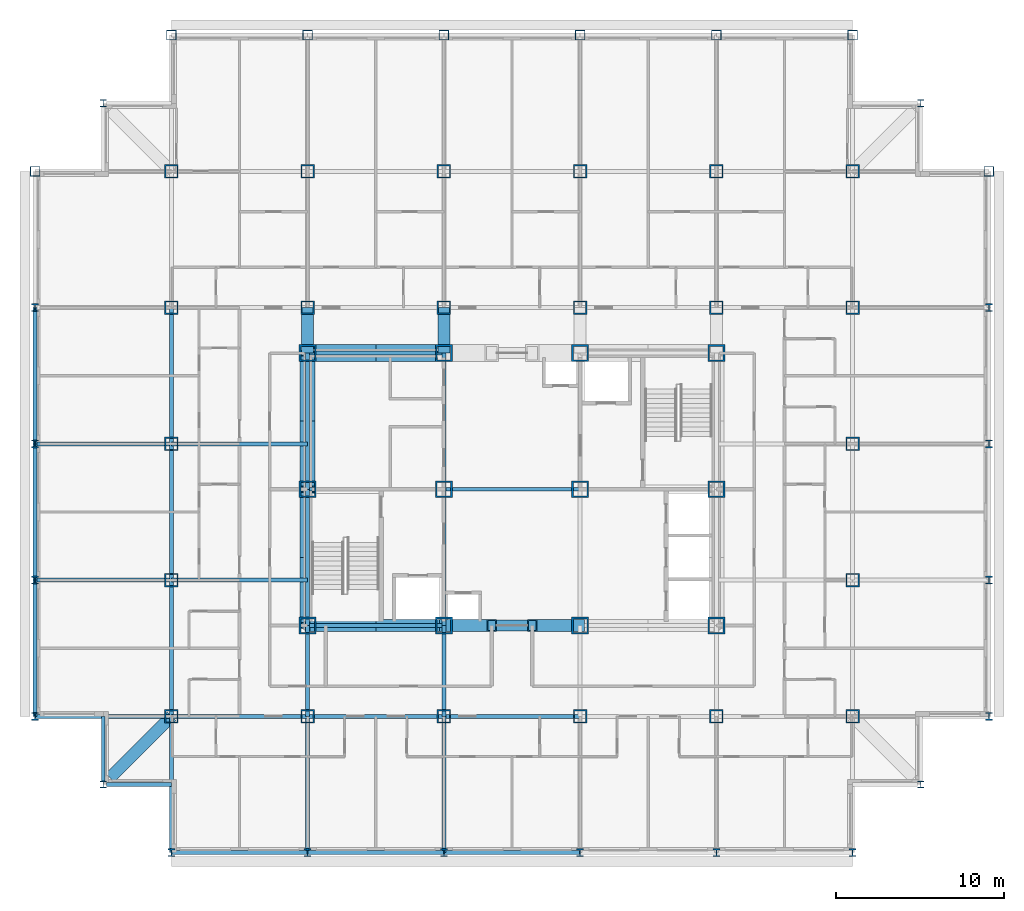
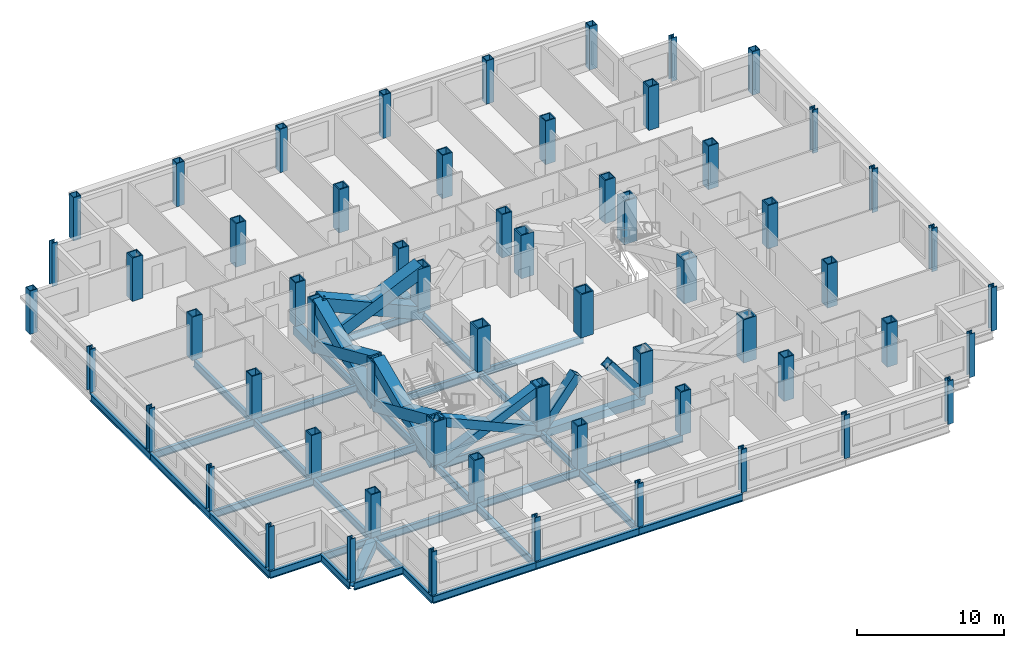
# One storey, part 1 of 12: 60 columns, 36 beams, 10 members.
"""IFC4 building model written with IfcOpenShell, lengths in metres."""

from ifc_helpers import new_model, si_unit, direction, frame, origin, origin_2d, place, context, subcontext, project, spatial, hollow_rectangle, i_section, extrude, material, material_profile, profile_set, type_object, element, save


model = new_model("IFC4")

# Units and contexts
model_context = context("Model", 3, precision=1e-05, world=origin(), true_north=direction((0.0, 1.0)))
body_context = subcontext(model_context, "Body", "Model", "MODEL_VIEW")
ifc_project = project(units=[si_unit("LENGTHUNIT", "METRE"), si_unit("AREAUNIT", "SQUARE_METRE"), si_unit("VOLUMEUNIT", "CUBIC_METRE"), si_unit("PLANEANGLEUNIT", "RADIAN"), si_unit("MASSUNIT", "GRAM", prefix="KILO")], contexts=[model_context])

# Site, building, storey
site_placement = place(None, origin())
site = spatial("IfcSite", under=ifc_project, at=site_placement, CompositionType="ELEMENT")
building_placement = place(site_placement, origin())
building = spatial("IfcBuilding", under=site, at=building_placement, Name="Kopane Lantern Tower", CompositionType="ELEMENT")
storey_placement = place(building_placement, frame((0.0, 0.0, 177.60009765625)))
storey = spatial("IfcBuildingStorey", under=building, at=storey_placement, Name="L45", CompositionType="ELEMENT", Elevation=177.60009765625)

# Columns
ifc_material_1 = material(Name="Steel S355JR", Category="steel")
ifc_material_profile_1 = material_profile(ifc_material_1, hollow_rectangle(XDim=1.0, YDim=1.0, WallThickness=0.10009765625, at=origin_2d()), Name="BOX 1000x1000x100")
ifc_profile_set_1 = profile_set([ifc_material_profile_1], Name="Steel S355JR")
column_type_1 = type_object("IfcColumnType", Name="COLUMN BOX 1000x1000x100", PredefinedType="COLUMN", material=ifc_profile_set_1)
for number, where, z_axis, x_axis, name in (
    (1, (16.199951171875, 24.300048828125, 0.0), (0.0, 0.0, 1.0), (1.0, 0.0, 0.0), "Column 4/E L45"),
    (2, (16.199951171875, 32.39990234375, 0.0), (0.0, 0.0, 1.0), (1.0, 0.0, 0.0), "Column 4/F L45"),
    (3, (16.199951171875, 40.5, 0.0), (0.0, 0.0, 1.0), (1.0, 0.0, 0.0), "Column 4/G L45"),
    (4, (24.300048828125, 24.300048828125, 0.0), (0.0, 0.0, 1.0), (1.0, 0.0, 0.0), "Column 5/E L45"),
    (5, (24.300048828125, 32.39990234375, 0.0), (0.0, 0.0, 1.0), (1.0, 0.0, 0.0), "Column 5/F L45"),
    (6, (24.300048828125, 40.5, 0.0), (0.0, 0.0, 1.0), (1.0, 0.0, 0.0), "Column 5/G L45"),
    (7, (32.39990234375, 24.300048828125, 0.0), (0.0, 0.0, 1.0), (1.0, 0.0, 0.0), "Column 6/E L45"),
    (8, (32.39990234375, 32.39990234375, 0.0), (0.0, 0.0, 1.0), (1.0, 0.0, 0.0), "Column 6/F L45"),
    (9, (32.39990234375, 40.5, 0.0), (0.0, 0.0, 1.0), (1.0, 0.0, 0.0), "Column 6/G L45"),
    (10, (40.5, 24.300048828125, 0.0), (0.0, 0.0, 1.0), (1.0, 0.0, 0.0), "Column 7/E L45"),
    (11, (40.5, 32.39990234375, 0.0), (0.0, 0.0, 1.0), (1.0, 0.0, 0.0), "Column 7/F L45"),
    (12, (40.5, 40.5, 0.0), (0.0, 0.0, 1.0), (1.0, 0.0, 0.0), "Column 7/G L45"),
):
    element("IfcColumn", number, at=place(storey_placement, frame(where, z_axis=z_axis, x_axis=x_axis)), inside=storey, type_object=column_type_1, Name=name, PredefinedType="COLUMN", context=body_context, shape_type="SweptSolid", body=[
        extrude(hollow_rectangle(XDim=1.0, YDim=1.0, WallThickness=0.10009765625, at=origin_2d()), origin(), (0.0, 0.0, 1.0), 3.599853515625),
    ])
ifc_material_2 = material(Name="Steel S355JR", Category="steel")
ifc_material_profile_2 = material_profile(ifc_material_2, hollow_rectangle(XDim=0.60009765625, YDim=0.60009765625, WallThickness=0.050048828125, at=origin_2d()), Name="BOX 600x600x50")
ifc_profile_set_2 = profile_set([ifc_material_profile_2], Name="Steel S355JR")
column_type_2 = type_object("IfcColumnType", Name="COLUMN BOX 600x600x50", PredefinedType="COLUMN", material=ifc_profile_set_2)
for number, where, z_axis, x_axis, name in (
    (13, (0.0, 51.300048828125, 0.0), (0.0, 0.0, 1.0), (1.0, 0.0, 0.0), "Column 2/Q6 L45"),
    (14, (8.10009765625, 59.39990234375, 0.0), (0.0, 0.0, 1.0), (1.0, 0.0, 0.0), "Column 3/Q7 L45"),
    (15, (16.199951171875, 59.39990234375, 0.0), (0.0, 0.0, 1.0), (1.0, 0.0, 0.0), "Column 4/Q7 L45"),
    (16, (24.300048828125, 59.39990234375, 0.0), (0.0, 0.0, 1.0), (1.0, 0.0, 0.0), "Column 5/Q7 L45"),
    (17, (32.39990234375, 59.39990234375, 0.0), (0.0, 0.0, 1.0), (1.0, 0.0, 0.0), "Column 6/Q7 L45"),
    (18, (40.5, 59.39990234375, 0.0), (0.0, 0.0, 1.0), (1.0, 0.0, 0.0), "Column 7/Q7 L45"),
    (19, (48.60009765625, 59.39990234375, 0.0), (0.0, 0.0, 1.0), (1.0, 0.0, 0.0), "Column 8/Q7 L45"),
    (20, (56.699951171875, 51.300048828125, 0.0), (0.0, 0.0, 1.0), (1.0, 0.0, 0.0), "Column 9/Q6 L45"),
):
    element("IfcColumn", number, at=place(storey_placement, frame(where, z_axis=z_axis, x_axis=x_axis)), inside=storey, type_object=column_type_2, Name=name, PredefinedType="COLUMN", context=body_context, shape_type="SweptSolid", body=[
        extrude(hollow_rectangle(XDim=0.60009765625, YDim=0.60009765625, WallThickness=0.050048828125, at=origin_2d()), origin(), (0.0, 0.0, 1.0), 3.599853515625),
    ])
ifc_material_3 = material(Name="Steel S355JR", Category="steel")
ifc_material_profile_3 = material_profile(ifc_material_3, hollow_rectangle(XDim=0.800048828125, YDim=0.800048828125, WallThickness=0.080078125, at=origin_2d()), Name="BOX 800x800x80")
ifc_profile_set_3 = profile_set([ifc_material_profile_3], Name="Steel S355JR")
column_type_3 = type_object("IfcColumnType", Name="COLUMN BOX 800x800x80", PredefinedType="COLUMN", material=ifc_profile_set_3)
for number, where, z_axis, x_axis, name in (
    (21, (8.10009765625, 18.89990234375, 0.0), (0.0, 0.0, 1.0), (1.0, 0.0, 0.0), "Column 3/Q2 L45"),
    (22, (8.10009765625, 27.0, 0.0), (0.0, 0.0, 1.0), (1.0, 0.0, 0.0), "Column 3/Q3 L45"),
    (23, (8.10009765625, 35.10009765625, 0.0), (0.0, 0.0, 1.0), (1.0, 0.0, 0.0), "Column 3/Q4 L45"),
    (24, (8.10009765625, 43.199951171875, 0.0), (0.0, 0.0, 1.0), (1.0, 0.0, 0.0), "Column 3/Q5 L45"),
    (25, (8.10009765625, 51.300048828125, 0.0), (0.0, 0.0, 1.0), (1.0, 0.0, 0.0), "Column 3/Q6 L45"),
    (26, (16.199951171875, 18.89990234375, 0.0), (0.0, 0.0, 1.0), (1.0, 0.0, 0.0), "Column 4/Q2 L45"),
    (27, (16.199951171875, 43.199951171875, 0.0), (0.0, 0.0, 1.0), (1.0, 0.0, 0.0), "Column 4/Q5 L45"),
    (28, (16.199951171875, 51.300048828125, 0.0), (0.0, 0.0, 1.0), (1.0, 0.0, 0.0), "Column 4/Q6 L45"),
    (29, (24.300048828125, 18.89990234375, 0.0), (0.0, 0.0, 1.0), (1.0, 0.0, 0.0), "Column 5/Q2 L45"),
    (30, (24.300048828125, 43.199951171875, 0.0), (0.0, 0.0, 1.0), (1.0, 0.0, 0.0), "Column 5/Q5 L45"),
    (31, (24.300048828125, 51.300048828125, 0.0), (0.0, 0.0, 1.0), (1.0, 0.0, 0.0), "Column 5/Q6 L45"),
    (32, (32.39990234375, 18.89990234375, 0.0), (0.0, 0.0, 1.0), (1.0, 0.0, 0.0), "Column 6/Q2 L45"),
    (33, (32.39990234375, 43.199951171875, 0.0), (0.0, 0.0, 1.0), (1.0, 0.0, 0.0), "Column 6/Q5 L45"),
    (34, (32.39990234375, 51.300048828125, 0.0), (0.0, 0.0, 1.0), (1.0, 0.0, 0.0), "Column 6/Q6 L45"),
    (35, (40.5, 18.89990234375, 0.0), (0.0, 0.0, 1.0), (1.0, 0.0, 0.0), "Column 7/Q2 L45"),
    (36, (40.5, 43.199951171875, 0.0), (0.0, 0.0, 1.0), (1.0, 0.0, 0.0), "Column 7/Q5 L45"),
    (37, (40.5, 51.300048828125, 0.0), (0.0, 0.0, 1.0), (1.0, 0.0, 0.0), "Column 7/Q6 L45"),
    (38, (48.60009765625, 18.89990234375, 0.0), (0.0, 0.0, 1.0), (1.0, 0.0, 0.0), "Column 8/Q2 L45"),
    (39, (48.60009765625, 27.0, 0.0), (0.0, 0.0, 1.0), (1.0, 0.0, 0.0), "Column 8/Q3 L45"),
    (40, (48.60009765625, 35.10009765625, 0.0), (0.0, 0.0, 1.0), (1.0, 0.0, 0.0), "Column 8/Q4 L45"),
    (41, (48.60009765625, 43.199951171875, 0.0), (0.0, 0.0, 1.0), (1.0, 0.0, 0.0), "Column 8/Q5 L45"),
    (42, (48.60009765625, 51.300048828125, 0.0), (0.0, 0.0, 1.0), (1.0, 0.0, 0.0), "Column 8/Q6 L45"),
):
    element("IfcColumn", number, at=place(storey_placement, frame(where, z_axis=z_axis, x_axis=x_axis)), inside=storey, type_object=column_type_3, Name=name, PredefinedType="COLUMN", context=body_context, shape_type="SweptSolid", body=[
        extrude(hollow_rectangle(XDim=0.800048828125, YDim=0.800048828125, WallThickness=0.080078125, at=origin_2d()), origin(), (0.0, 0.0, 1.0), 3.599853515625),
    ])
ifc_material_4 = material(Name="Steel S355JR", Category="steel")
ifc_material_profile_4 = material_profile(ifc_material_4, i_section(OverallWidth=0.406982421875, OverallDepth=0.4189453125, WebThickness=0.030517578125, FlangeThickness=0.04931640625, FilletRadius=0.01513671875, at=origin_2d()), Name="UC 356x406x393")
ifc_profile_set_4 = profile_set([ifc_material_profile_4], Name="Steel S355JR")
column_type_4 = type_object("IfcColumnType", Name="COLUMN UC 356x406x393", PredefinedType="COLUMN", material=ifc_profile_set_4)
for number, where, z_axis, x_axis, name in (
    (43, (4.050048828125, 14.85009765625, 0.0), (0.0, 0.0, 1.0), (1.0, 0.0, 0.0), "Column 4.05/14.85 L45"),
    (44, (4.050048828125, 55.35009765625, 0.0), (0.0, 0.0, 1.0), (1.0, 0.0, 0.0), "Column 4.05/55.35 L45"),
    (45, (52.64990234375, 14.85009765625, 0.0), (0.0, 0.0, 1.0), (1.0, 0.0, 0.0), "Column 52.65/14.85 L45"),
    (46, (52.64990234375, 55.35009765625, 0.0), (0.0, 0.0, 1.0), (1.0, 0.0, 0.0), "Column 52.65/55.35 L45"),
):
    element("IfcColumn", number, at=place(storey_placement, frame(where, z_axis=z_axis, x_axis=x_axis)), inside=storey, type_object=column_type_4, Name=name, PredefinedType="COLUMN", context=body_context, shape_type="SweptSolid", body=[
        extrude(i_section(OverallWidth=0.406982421875, OverallDepth=0.4189453125, WebThickness=0.030517578125, FlangeThickness=0.04931640625, FilletRadius=0.01513671875, at=origin_2d()), origin(), (0.0, 0.0, 1.0), 3.599853515625),
    ])
ifc_material_5 = material(Name="Steel S355JR", Category="steel")
ifc_material_profile_5 = material_profile(ifc_material_5, i_section(OverallWidth=0.424072265625, OverallDepth=0.474609375, WebThickness=0.047607421875, FlangeThickness=0.076904296875, FilletRadius=0.01513671875, at=origin_2d()), Name="UC 356x406x634")
ifc_profile_set_5 = profile_set([ifc_material_profile_5], Name="Steel S355JR")
column_type_5 = type_object("IfcColumnType", Name="COLUMN UC 356x406x634", PredefinedType="COLUMN", material=ifc_profile_set_5)
for number, where, z_axis, x_axis, name in (
    (47, (0.0, 18.89990234375, 0.0), (0.0, 0.0, 1.0), (1.0, 0.0, 0.0), "Column 2/Q2 L45"),
    (48, (0.0, 27.0, 0.0), (0.0, 0.0, 1.0), (1.0, 0.0, 0.0), "Column 2/Q3 L45"),
    (49, (0.0, 35.10009765625, 0.0), (0.0, 0.0, 1.0), (1.0, 0.0, 0.0), "Column 2/Q4 L45"),
    (50, (0.0, 43.199951171875, 0.0), (0.0, 0.0, 1.0), (1.0, 0.0, 0.0), "Column 2/Q5 L45"),
    (51, (8.10009765625, 10.800048828125, 0.0), (0.0, 0.0, 1.0), (1.0, 0.0, 0.0), "Column 3/Q1 L45"),
    (52, (16.199951171875, 10.800048828125, 0.0), (0.0, 0.0, 1.0), (1.0, 0.0, 0.0), "Column 4/Q1 L45"),
    (53, (24.300048828125, 10.800048828125, 0.0), (0.0, 0.0, 1.0), (1.0, 0.0, 0.0), "Column 5/Q1 L45"),
    (54, (32.39990234375, 10.800048828125, 0.0), (0.0, 0.0, 1.0), (1.0, 0.0, 0.0), "Column 6/Q1 L45"),
    (55, (40.5, 10.800048828125, 0.0), (0.0, 0.0, 1.0), (1.0, 0.0, 0.0), "Column 7/Q1 L45"),
    (56, (48.60009765625, 10.800048828125, 0.0), (0.0, 0.0, 1.0), (1.0, 0.0, 0.0), "Column 8/Q1 L45"),
    (57, (56.699951171875, 18.89990234375, 0.0), (0.0, 0.0, 1.0), (1.0, 0.0, 0.0), "Column 9/Q2 L45"),
    (58, (56.699951171875, 27.0, 0.0), (0.0, 0.0, 1.0), (1.0, 0.0, 0.0), "Column 9/Q3 L45"),
    (59, (56.699951171875, 35.10009765625, 0.0), (0.0, 0.0, 1.0), (1.0, 0.0, 0.0), "Column 9/Q4 L45"),
    (60, (56.699951171875, 43.199951171875, 0.0), (0.0, 0.0, 1.0), (1.0, 0.0, 0.0), "Column 9/Q5 L45"),
):
    element("IfcColumn", number, at=place(storey_placement, frame(where, z_axis=z_axis, x_axis=x_axis)), inside=storey, type_object=column_type_5, Name=name, PredefinedType="COLUMN", context=body_context, shape_type="SweptSolid", body=[
        extrude(i_section(OverallWidth=0.424072265625, OverallDepth=0.474609375, WebThickness=0.047607421875, FlangeThickness=0.076904296875, FilletRadius=0.01513671875, at=origin_2d()), origin(), (0.0, 0.0, 1.0), 3.599853515625),
    ])

# Members
ifc_material_6 = material(Name="Steel S355JR", Category="steel")
ifc_material_profile_6 = material_profile(ifc_material_6, hollow_rectangle(XDim=1.0, YDim=1.0, WallThickness=0.10009765625, at=origin_2d()), Name="BOX 1000x1000x100")
ifc_profile_set_6 = profile_set([ifc_material_profile_6], Name="Steel S355JR")
member_type_1 = type_object("IfcMemberType", Name="BRACE BOX 1000x1000x100", PredefinedType="BRACE", material=ifc_profile_set_6)
for number, where, z_axis, x_axis, name in (
    (61, (16.199951171875, 40.5, -0.210205078125), (0.913809277049, 0.0, 0.40614357705), (0.0, 1.0, 0.0), "Core brace L45"),
    (62, (24.300048828125, 40.5, -0.210205078125), (-0.913809277049, 0.0, 0.40614357705), (0.0, -1.0, 0.0), "Core brace L45"),
):
    element("IfcMember", number, at=place(storey_placement, frame(where, z_axis=z_axis, x_axis=x_axis)), inside=storey, type_object=member_type_1, Name=name, PredefinedType="BRACE", context=body_context, shape_type="SweptSolid", body=[
        extrude(hollow_rectangle(XDim=1.0, YDim=1.0, WallThickness=0.10009765625, at=origin_2d()), origin(), (0.0, 0.0, 1.0), 8.864013671875),
    ])
ifc_material_7 = material(Name="Steel S355JR", Category="steel")
ifc_material_profile_7 = material_profile(ifc_material_7, hollow_rectangle(XDim=0.699951171875, YDim=0.699951171875, WallThickness=0.06005859375, at=origin_2d()), Name="BOX 700x700x60")
ifc_profile_set_7 = profile_set([ifc_material_profile_7], Name="Steel S355JR")
member_type_2 = type_object("IfcMemberType", Name="BRACE BOX 700x700x60", PredefinedType="BRACE", material=ifc_profile_set_7)
for number, where, z_axis, x_axis, name in (
    (63, (16.199951171875, 24.300048828125, -0.210205078125), (0.913809277049, 0.0, 0.40614357705), (0.0, 1.0, 0.0), "Core brace L45"),
    (64, (24.300048828125, 24.300048828125, -0.210205078125), (-0.913809277049, 0.0, 0.40614357705), (0.0, -1.0, 0.0), "Core brace L45"),
):
    element("IfcMember", number, at=place(storey_placement, frame(where, z_axis=z_axis, x_axis=x_axis)), inside=storey, type_object=member_type_2, Name=name, PredefinedType="BRACE", context=body_context, shape_type="SweptSolid", body=[
        extrude(hollow_rectangle(XDim=0.699951171875, YDim=0.699951171875, WallThickness=0.06005859375, at=origin_2d()), origin(), (0.0, 0.0, 1.0), 8.864013671875),
    ])
for number, where, z_axis, x_axis, name in (
    (65, (24.300048828125, 24.300048828125, -0.210205078125), (0.620672981644, 0.0, 0.784069544018), (0.0, 1.0, 0.0), "Core brace L45"),
    (66, (32.39990234375, 24.300048828125, -0.210205078125), (-0.620672981644, 0.0, 0.784069544018), (0.0, -1.0, 0.0), "Core brace L45"),
):
    element("IfcMember", number, at=place(storey_placement, frame(where, z_axis=z_axis, x_axis=x_axis)), inside=storey, type_object=member_type_2, Name=name, PredefinedType="BRACE", context=body_context, shape_type="SweptSolid", body=[
        extrude(hollow_rectangle(XDim=0.699951171875, YDim=0.699951171875, WallThickness=0.06005859375, at=origin_2d()), origin(), (0.0, 0.0, 1.0), 4.591552734375),
    ])
ifc_material_8 = material(Name="Steel S355JR", Category="steel")
ifc_material_profile_8 = material_profile(ifc_material_8, hollow_rectangle(XDim=0.89990234375, YDim=0.89990234375, WallThickness=0.090087890625, at=origin_2d()), Name="BOX 900x900x90")
ifc_profile_set_8 = profile_set([ifc_material_profile_8], Name="Steel S355JR")
member_type_3 = type_object("IfcMemberType", Name="BRACE BOX 900x900x90", PredefinedType="BRACE", material=ifc_profile_set_8)
for number, where, z_axis, x_axis, name in (
    (67, (16.199951171875, 24.300048828125, -0.210205078125), (0.0, 0.91380473365, 0.406153799391), (-1.0, 0.0, 0.0), "Core brace L45"),
    (68, (16.199951171875, 32.39990234375, -0.210205078125), (0.0, -0.91380473365, 0.406153799391), (1.0, 0.0, 0.0), "Core brace L45"),
):
    element("IfcMember", number, at=place(storey_placement, frame(where, z_axis=z_axis, x_axis=x_axis)), inside=storey, type_object=member_type_3, Name=name, PredefinedType="BRACE", context=body_context, shape_type="SweptSolid", body=[
        extrude(hollow_rectangle(XDim=0.89990234375, YDim=0.89990234375, WallThickness=0.090087890625, at=origin_2d()), origin(), (0.0, 0.0, 1.0), 8.86376953125),
    ])
for number, where, z_axis, x_axis, name in (
    (69, (16.199951171875, 32.39990234375, -0.210205078125), (0.0, 0.913809277049, 0.40614357705), (-1.0, 0.0, 0.0), "Core brace L45"),
    (70, (16.199951171875, 40.5, -0.210205078125), (0.0, -0.913809277049, 0.40614357705), (1.0, 0.0, 0.0), "Core brace L45"),
):
    element("IfcMember", number, at=place(storey_placement, frame(where, z_axis=z_axis, x_axis=x_axis)), inside=storey, type_object=member_type_3, Name=name, PredefinedType="BRACE", context=body_context, shape_type="SweptSolid", body=[
        extrude(hollow_rectangle(XDim=0.89990234375, YDim=0.89990234375, WallThickness=0.090087890625, at=origin_2d()), origin(), (0.0, 0.0, 1.0), 8.864013671875),
    ])

# Beams
ifc_material_9 = material(Name="Steel S355JR", Category="steel")
ifc_material_profile_9 = material_profile(ifc_material_9, i_section(OverallWidth=0.22900390625, OverallDepth=0.6123046875, WebThickness=0.011962890625, FlangeThickness=0.01953125, FilletRadius=0.0126953125, at=origin_2d()), Name="UB 610x229x125")
ifc_profile_set_9 = profile_set([ifc_material_profile_9], Name="Steel S355JR")
beam_type_1 = type_object("IfcBeamType", Name="CORE BEAM UB 610x229x125", PredefinedType="BEAM", material=ifc_profile_set_9)
beam_1_placement = place(storey_placement, frame((16.199951171875, 32.39990234375, -0.51611328125), z_axis=(1.0, 0.0, 0.0), x_axis=(0.0, 1.0, 0.0)))
element("IfcBeam", 71, at=beam_1_placement, inside=storey, type_object=beam_type_1, Name="Core Beam L45", PredefinedType="BEAM", context=body_context, shape_type="SweptSolid", body=[
    extrude(i_section(OverallWidth=0.22900390625, OverallDepth=0.6123046875, WebThickness=0.011962890625, FlangeThickness=0.01953125, FilletRadius=0.0126953125, at=origin_2d()), origin(), (0.0, 0.0, 1.0), 8.10009765625),
])
beam_2_placement = place(storey_placement, frame((24.300048828125, 24.300048828125, -0.51611328125), z_axis=(0.0, 1.0, 0.0), x_axis=(-1.0, 0.0, 0.0)))
element("IfcBeam", 72, at=beam_2_placement, inside=storey, type_object=beam_type_1, Name="Core Beam L45", PredefinedType="BEAM", context=body_context, shape_type="SweptSolid", body=[
    extrude(i_section(OverallWidth=0.22900390625, OverallDepth=0.6123046875, WebThickness=0.011962890625, FlangeThickness=0.01953125, FilletRadius=0.0126953125, at=origin_2d()), origin(), (0.0, 0.0, 1.0), 8.099853515625),
])
beam_3_placement = place(storey_placement, frame((24.300048828125, 32.39990234375, -0.51611328125), z_axis=(0.0, 1.0, 0.0), x_axis=(-1.0, 0.0, 0.0)))
element("IfcBeam", 73, at=beam_3_placement, inside=storey, type_object=beam_type_1, Name="Core Beam L45", PredefinedType="BEAM", context=body_context, shape_type="SweptSolid", body=[
    extrude(i_section(OverallWidth=0.22900390625, OverallDepth=0.6123046875, WebThickness=0.011962890625, FlangeThickness=0.01953125, FilletRadius=0.0126953125, at=origin_2d()), origin(), (0.0, 0.0, 1.0), 8.10009765625),
])
beam_4_placement = place(storey_placement, frame((24.300048828125, 32.39990234375, -0.51611328125), z_axis=(1.0, 0.0, 0.0), x_axis=(0.0, 1.0, 0.0)))
element("IfcBeam", 74, at=beam_4_placement, inside=storey, type_object=beam_type_1, Name="Core Beam L45", PredefinedType="BEAM", context=body_context, shape_type="SweptSolid", body=[
    extrude(i_section(OverallWidth=0.22900390625, OverallDepth=0.6123046875, WebThickness=0.011962890625, FlangeThickness=0.01953125, FilletRadius=0.0126953125, at=origin_2d()), origin(), (0.0, 0.0, 1.0), 8.099853515625),
])
ifc_material_10 = material(Name="Steel S355JR", Category="steel")
ifc_material_profile_10 = material_profile(ifc_material_10, hollow_rectangle(XDim=0.699951171875, YDim=0.699951171875, WallThickness=0.06005859375, at=origin_2d()), Name="BOX 700x700x60")
ifc_profile_set_10 = profile_set([ifc_material_profile_10], Name="Steel S355JR")
beam_type_2 = type_object("IfcBeamType", Name="CORNER TIE BEAM BOX 700x700x60", PredefinedType="BEAM", material=ifc_profile_set_10)
beam_5_placement = place(storey_placement, frame((4.447509765625, 15.24755859375, -0.56005859375), z_axis=(0.70713041325, 0.707083148333, 0.0), x_axis=(-0.707083148333, 0.70713041325, 0.0)))
element("IfcBeam", 75, at=beam_5_placement, inside=storey, type_object=beam_type_2, Name="Corner Tie Beam L45", PredefinedType="BEAM", context=body_context, shape_type="SweptSolid", body=[
    extrude(hollow_rectangle(XDim=0.699951171875, YDim=0.699951171875, WallThickness=0.06005859375, at=origin_2d()), origin(), (0.0, 0.0, 1.0), 5.165283203125),
])
ifc_material_11 = material(Name="Steel S355JR", Category="steel")
ifc_material_profile_11 = material_profile(ifc_material_11, i_section(OverallWidth=0.22900390625, OverallDepth=0.6123046875, WebThickness=0.011962890625, FlangeThickness=0.01953125, FilletRadius=0.0126953125, at=origin_2d()), Name="UB 610x229x125")
ifc_profile_set_11 = profile_set([ifc_material_profile_11], Name="Steel S355JR")
beam_type_3 = type_object("IfcBeamType", Name="EDGE BEAM UB 610x229x125", PredefinedType="BEAM", material=ifc_profile_set_11)
beam_6_placement = place(storey_placement, frame((4.050048828125, 15.053466796875, -0.51611328125), z_axis=(0.0, 1.0, 0.0), x_axis=(-1.0, 0.0, 0.0)))
element("IfcBeam", 76, at=beam_6_placement, inside=storey, type_object=beam_type_3, Name="Edge Beam L45", PredefinedType="BEAM", context=body_context, shape_type="SweptSolid", body=[
    extrude(i_section(OverallWidth=0.22900390625, OverallDepth=0.6123046875, WebThickness=0.011962890625, FlangeThickness=0.01953125, FilletRadius=0.0126953125, at=origin_2d()), origin(), (0.0, 0.0, 1.0), 3.846435546875),
])
beam_7_placement = place(storey_placement, frame((4.25341796875, 14.85009765625, -0.51611328125), z_axis=(1.0, 0.0, 0.0), x_axis=(0.0, 1.0, 0.0)))
element("IfcBeam", 77, at=beam_7_placement, inside=storey, type_object=beam_type_3, Name="Edge Beam L45", PredefinedType="BEAM", context=body_context, shape_type="SweptSolid", body=[
    extrude(i_section(OverallWidth=0.22900390625, OverallDepth=0.6123046875, WebThickness=0.011962890625, FlangeThickness=0.01953125, FilletRadius=0.0126953125, at=origin_2d()), origin(), (0.0, 0.0, 1.0), 3.8466796875),
])
ifc_material_12 = material(Name="Steel S355JR", Category="steel")
ifc_material_profile_12 = material_profile(ifc_material_12, hollow_rectangle(XDim=0.699951171875, YDim=0.699951171875, WallThickness=0.06005859375, at=origin_2d()), Name="BOX 700x700x60")
ifc_profile_set_12 = profile_set([ifc_material_profile_12], Name="Steel S355JR")
beam_type_4 = type_object("IfcBeamType", Name="GIRDER BOX 700x700x60", PredefinedType="BEAM", material=ifc_profile_set_12)
for number, where, z_axis, x_axis, name in (
    (78, (16.199951171875, 40.5, -0.56005859375), (0.0, 1.0, 0.0), (-1.0, 0.0, 0.0), "Girder L45"),
    (79, (24.300048828125, 40.5, -0.56005859375), (0.0, 1.0, 0.0), (-1.0, 0.0, 0.0), "Girder L45"),
):
    element("IfcBeam", number, at=place(storey_placement, frame(where, z_axis=z_axis, x_axis=x_axis)), inside=storey, type_object=beam_type_4, Name=name, PredefinedType="BEAM", context=body_context, shape_type="SweptSolid", body=[
        extrude(hollow_rectangle(XDim=0.699951171875, YDim=0.699951171875, WallThickness=0.06005859375, at=origin_2d()), origin(), (0.0, 0.0, 1.0), 2.699951171875),
    ])
ifc_material_13 = material(Name="Steel S355JR", Category="steel")
ifc_material_profile_13 = material_profile(ifc_material_13, i_section(OverallWidth=0.22900390625, OverallDepth=0.6123046875, WebThickness=0.011962890625, FlangeThickness=0.01953125, FilletRadius=0.0126953125, at=origin_2d()), Name="UB 610x229x125")
ifc_profile_set_13 = profile_set([ifc_material_profile_13], Name="Steel S355JR")
beam_type_5 = type_object("IfcBeamType", Name="GIRDER UB 610x229x125", PredefinedType="BEAM", material=ifc_profile_set_13)
for number, where, z_axis, x_axis, name in (
    (80, (0.0, 18.89990234375, -0.51611328125), (0.0, 1.0, 0.0), (-1.0, 0.0, 0.0), "Girder L45"),
    (81, (0.0, 18.89990234375, -0.51611328125), (1.0, 0.0, 0.0), (0.0, 1.0, 0.0), "Girder L45"),
    (82, (0.0, 27.0, -0.51611328125), (0.0, 1.0, 0.0), (-1.0, 0.0, 0.0), "Girder L45"),
    (83, (0.0, 27.0, -0.51611328125), (1.0, 0.0, 0.0), (0.0, 1.0, 0.0), "Girder L45"),
):
    element("IfcBeam", number, at=place(storey_placement, frame(where, z_axis=z_axis, x_axis=x_axis)), inside=storey, type_object=beam_type_5, Name=name, PredefinedType="BEAM", context=body_context, shape_type="SweptSolid", body=[
        extrude(i_section(OverallWidth=0.22900390625, OverallDepth=0.6123046875, WebThickness=0.011962890625, FlangeThickness=0.01953125, FilletRadius=0.0126953125, at=origin_2d()), origin(), (0.0, 0.0, 1.0), 8.10009765625),
    ])
beam_8_placement = place(storey_placement, frame((0.0, 35.10009765625, -0.51611328125), z_axis=(0.0, 1.0, 0.0), x_axis=(-1.0, 0.0, 0.0)))
element("IfcBeam", 84, at=beam_8_placement, inside=storey, type_object=beam_type_5, Name="Girder L45", PredefinedType="BEAM", context=body_context, shape_type="SweptSolid", body=[
    extrude(i_section(OverallWidth=0.22900390625, OverallDepth=0.6123046875, WebThickness=0.011962890625, FlangeThickness=0.01953125, FilletRadius=0.0126953125, at=origin_2d()), origin(), (0.0, 0.0, 1.0), 8.099853515625),
])
beam_9_placement = place(storey_placement, frame((0.0, 35.10009765625, -0.51611328125), z_axis=(1.0, 0.0, 0.0), x_axis=(0.0, 1.0, 0.0)))
element("IfcBeam", 85, at=beam_9_placement, inside=storey, type_object=beam_type_5, Name="Girder L45", PredefinedType="BEAM", context=body_context, shape_type="SweptSolid", body=[
    extrude(i_section(OverallWidth=0.22900390625, OverallDepth=0.6123046875, WebThickness=0.011962890625, FlangeThickness=0.01953125, FilletRadius=0.0126953125, at=origin_2d()), origin(), (0.0, 0.0, 1.0), 8.10009765625),
])
for number, where, z_axis, x_axis, name in (
    (86, (8.10009765625, 10.800048828125, -0.51611328125), (0.0, 1.0, 0.0), (-1.0, 0.0, 0.0), "Girder L45"),
    (87, (8.10009765625, 10.800048828125, -0.51611328125), (1.0, 0.0, 0.0), (0.0, 1.0, 0.0), "Girder L45"),
):
    element("IfcBeam", number, at=place(storey_placement, frame(where, z_axis=z_axis, x_axis=x_axis)), inside=storey, type_object=beam_type_5, Name=name, PredefinedType="BEAM", context=body_context, shape_type="SweptSolid", body=[
        extrude(i_section(OverallWidth=0.22900390625, OverallDepth=0.6123046875, WebThickness=0.011962890625, FlangeThickness=0.01953125, FilletRadius=0.0126953125, at=origin_2d()), origin(), (0.0, 0.0, 1.0), 8.099853515625),
    ])
beam_10_placement = place(storey_placement, frame((8.10009765625, 18.89990234375, -0.51611328125), z_axis=(0.0, 1.0, 0.0), x_axis=(-1.0, 0.0, 0.0)))
element("IfcBeam", 88, at=beam_10_placement, inside=storey, type_object=beam_type_5, Name="Girder L45", PredefinedType="BEAM", context=body_context, shape_type="SweptSolid", body=[
    extrude(i_section(OverallWidth=0.22900390625, OverallDepth=0.6123046875, WebThickness=0.011962890625, FlangeThickness=0.01953125, FilletRadius=0.0126953125, at=origin_2d()), origin(), (0.0, 0.0, 1.0), 8.10009765625),
])
beam_11_placement = place(storey_placement, frame((8.10009765625, 18.89990234375, -0.51611328125), z_axis=(1.0, 0.0, 0.0), x_axis=(0.0, 1.0, 0.0)))
element("IfcBeam", 89, at=beam_11_placement, inside=storey, type_object=beam_type_5, Name="Girder L45", PredefinedType="BEAM", context=body_context, shape_type="SweptSolid", body=[
    extrude(i_section(OverallWidth=0.22900390625, OverallDepth=0.6123046875, WebThickness=0.011962890625, FlangeThickness=0.01953125, FilletRadius=0.0126953125, at=origin_2d()), origin(), (0.0, 0.0, 1.0), 8.099853515625),
])
beam_12_placement = place(storey_placement, frame((8.10009765625, 27.0, -0.51611328125), z_axis=(0.0, 1.0, 0.0), x_axis=(-1.0, 0.0, 0.0)))
element("IfcBeam", 90, at=beam_12_placement, inside=storey, type_object=beam_type_5, Name="Girder L45", PredefinedType="BEAM", context=body_context, shape_type="SweptSolid", body=[
    extrude(i_section(OverallWidth=0.22900390625, OverallDepth=0.6123046875, WebThickness=0.011962890625, FlangeThickness=0.01953125, FilletRadius=0.0126953125, at=origin_2d()), origin(), (0.0, 0.0, 1.0), 8.10009765625),
])
for number, where, z_axis, x_axis, name in (
    (91, (8.10009765625, 27.0, -0.51611328125), (1.0, 0.0, 0.0), (0.0, 1.0, 0.0), "Girder L45"),
    (92, (8.10009765625, 35.10009765625, -0.51611328125), (0.0, 1.0, 0.0), (-1.0, 0.0, 0.0), "Girder L45"),
    (93, (8.10009765625, 35.10009765625, -0.51611328125), (1.0, 0.0, 0.0), (0.0, 1.0, 0.0), "Girder L45"),
    (94, (16.199951171875, 10.800048828125, -0.51611328125), (0.0, 1.0, 0.0), (-1.0, 0.0, 0.0), "Girder L45"),
):
    element("IfcBeam", number, at=place(storey_placement, frame(where, z_axis=z_axis, x_axis=x_axis)), inside=storey, type_object=beam_type_5, Name=name, PredefinedType="BEAM", context=body_context, shape_type="SweptSolid", body=[
        extrude(i_section(OverallWidth=0.22900390625, OverallDepth=0.6123046875, WebThickness=0.011962890625, FlangeThickness=0.01953125, FilletRadius=0.0126953125, at=origin_2d()), origin(), (0.0, 0.0, 1.0), 8.099853515625),
    ])
beam_13_placement = place(storey_placement, frame((16.199951171875, 10.800048828125, -0.51611328125), z_axis=(1.0, 0.0, 0.0), x_axis=(0.0, 1.0, 0.0)))
element("IfcBeam", 95, at=beam_13_placement, inside=storey, type_object=beam_type_5, Name="Girder L45", PredefinedType="BEAM", context=body_context, shape_type="SweptSolid", body=[
    extrude(i_section(OverallWidth=0.22900390625, OverallDepth=0.6123046875, WebThickness=0.011962890625, FlangeThickness=0.01953125, FilletRadius=0.0126953125, at=origin_2d()), origin(), (0.0, 0.0, 1.0), 8.10009765625),
])
beam_14_placement = place(storey_placement, frame((16.199951171875, 18.89990234375, -0.51611328125), z_axis=(0.0, 1.0, 0.0), x_axis=(-1.0, 0.0, 0.0)))
element("IfcBeam", 96, at=beam_14_placement, inside=storey, type_object=beam_type_5, Name="Girder L45", PredefinedType="BEAM", context=body_context, shape_type="SweptSolid", body=[
    extrude(i_section(OverallWidth=0.22900390625, OverallDepth=0.6123046875, WebThickness=0.011962890625, FlangeThickness=0.01953125, FilletRadius=0.0126953125, at=origin_2d()), origin(), (0.0, 0.0, 1.0), 5.400146484375),
])
beam_15_placement = place(storey_placement, frame((16.199951171875, 18.89990234375, -0.51611328125), z_axis=(1.0, 0.0, 0.0), x_axis=(0.0, 1.0, 0.0)))
element("IfcBeam", 97, at=beam_15_placement, inside=storey, type_object=beam_type_5, Name="Girder L45", PredefinedType="BEAM", context=body_context, shape_type="SweptSolid", body=[
    extrude(i_section(OverallWidth=0.22900390625, OverallDepth=0.6123046875, WebThickness=0.011962890625, FlangeThickness=0.01953125, FilletRadius=0.0126953125, at=origin_2d()), origin(), (0.0, 0.0, 1.0), 8.10009765625),
])
beam_16_placement = place(storey_placement, frame((16.199951171875, 24.300048828125, -0.51611328125), z_axis=(0.0, 1.0, 0.0), x_axis=(-1.0, 0.0, 0.0)))
element("IfcBeam", 98, at=beam_16_placement, inside=storey, type_object=beam_type_5, Name="Girder L45", PredefinedType="BEAM", context=body_context, shape_type="SweptSolid", body=[
    extrude(i_section(OverallWidth=0.22900390625, OverallDepth=0.6123046875, WebThickness=0.011962890625, FlangeThickness=0.01953125, FilletRadius=0.0126953125, at=origin_2d()), origin(), (0.0, 0.0, 1.0), 8.099853515625),
])
for number, where, z_axis, x_axis, name in (
    (99, (16.199951171875, 24.300048828125, -0.51611328125), (1.0, 0.0, 0.0), (0.0, 1.0, 0.0), "Girder L45"),
    (100, (16.199951171875, 32.39990234375, -0.51611328125), (0.0, 1.0, 0.0), (-1.0, 0.0, 0.0), "Girder L45"),
    (101, (16.199951171875, 40.5, -0.51611328125), (1.0, 0.0, 0.0), (0.0, 1.0, 0.0), "Girder L45"),
):
    element("IfcBeam", number, at=place(storey_placement, frame(where, z_axis=z_axis, x_axis=x_axis)), inside=storey, type_object=beam_type_5, Name=name, PredefinedType="BEAM", context=body_context, shape_type="SweptSolid", body=[
        extrude(i_section(OverallWidth=0.22900390625, OverallDepth=0.6123046875, WebThickness=0.011962890625, FlangeThickness=0.01953125, FilletRadius=0.0126953125, at=origin_2d()), origin(), (0.0, 0.0, 1.0), 8.10009765625),
    ])
for number, where, z_axis, x_axis, name in (
    (102, (24.300048828125, 10.800048828125, -0.51611328125), (0.0, 1.0, 0.0), (-1.0, 0.0, 0.0), "Girder L45"),
    (103, (24.300048828125, 10.800048828125, -0.51611328125), (1.0, 0.0, 0.0), (0.0, 1.0, 0.0), "Girder L45"),
):
    element("IfcBeam", number, at=place(storey_placement, frame(where, z_axis=z_axis, x_axis=x_axis)), inside=storey, type_object=beam_type_5, Name=name, PredefinedType="BEAM", context=body_context, shape_type="SweptSolid", body=[
        extrude(i_section(OverallWidth=0.22900390625, OverallDepth=0.6123046875, WebThickness=0.011962890625, FlangeThickness=0.01953125, FilletRadius=0.0126953125, at=origin_2d()), origin(), (0.0, 0.0, 1.0), 8.099853515625),
    ])
beam_17_placement = place(storey_placement, frame((24.300048828125, 18.89990234375, -0.51611328125), z_axis=(0.0, 1.0, 0.0), x_axis=(-1.0, 0.0, 0.0)))
element("IfcBeam", 104, at=beam_17_placement, inside=storey, type_object=beam_type_5, Name="Girder L45", PredefinedType="BEAM", context=body_context, shape_type="SweptSolid", body=[
    extrude(i_section(OverallWidth=0.22900390625, OverallDepth=0.6123046875, WebThickness=0.011962890625, FlangeThickness=0.01953125, FilletRadius=0.0126953125, at=origin_2d()), origin(), (0.0, 0.0, 1.0), 5.400146484375),
])
beam_18_placement = place(storey_placement, frame((24.300048828125, 18.89990234375, -0.51611328125), z_axis=(1.0, 0.0, 0.0), x_axis=(0.0, 1.0, 0.0)))
element("IfcBeam", 105, at=beam_18_placement, inside=storey, type_object=beam_type_5, Name="Girder L45", PredefinedType="BEAM", context=body_context, shape_type="SweptSolid", body=[
    extrude(i_section(OverallWidth=0.22900390625, OverallDepth=0.6123046875, WebThickness=0.011962890625, FlangeThickness=0.01953125, FilletRadius=0.0126953125, at=origin_2d()), origin(), (0.0, 0.0, 1.0), 8.099853515625),
])
ifc_material_14 = material(Name="Steel S355JR", Category="steel")
ifc_material_profile_14 = material_profile(ifc_material_14, hollow_rectangle(XDim=0.64990234375, YDim=0.64990234375, WallThickness=0.070068359375, at=origin_2d()), Name="BOX 650x650x70")
ifc_profile_set_14 = profile_set([ifc_material_profile_14], Name="Steel S355JR")
beam_type_6 = type_object("IfcBeamType", Name="LINK BEAM BOX 650x650x70", PredefinedType="BEAM", material=ifc_profile_set_14)
beam_19_placement = place(storey_placement, frame((24.300048828125, 24.300048828125, -0.53515625), z_axis=(1.0, 0.0, 0.0), x_axis=(0.0, 1.0, 0.0)))
element("IfcBeam", 106, at=beam_19_placement, inside=storey, type_object=beam_type_6, Name="Link Beam L45", PredefinedType="BEAM", context=body_context, shape_type="SweptSolid", body=[
    extrude(hollow_rectangle(XDim=0.64990234375, YDim=0.64990234375, WallThickness=0.070068359375, at=origin_2d()), origin(), (0.0, 0.0, 1.0), 8.099853515625),
])

save(model, "model.ifc")
